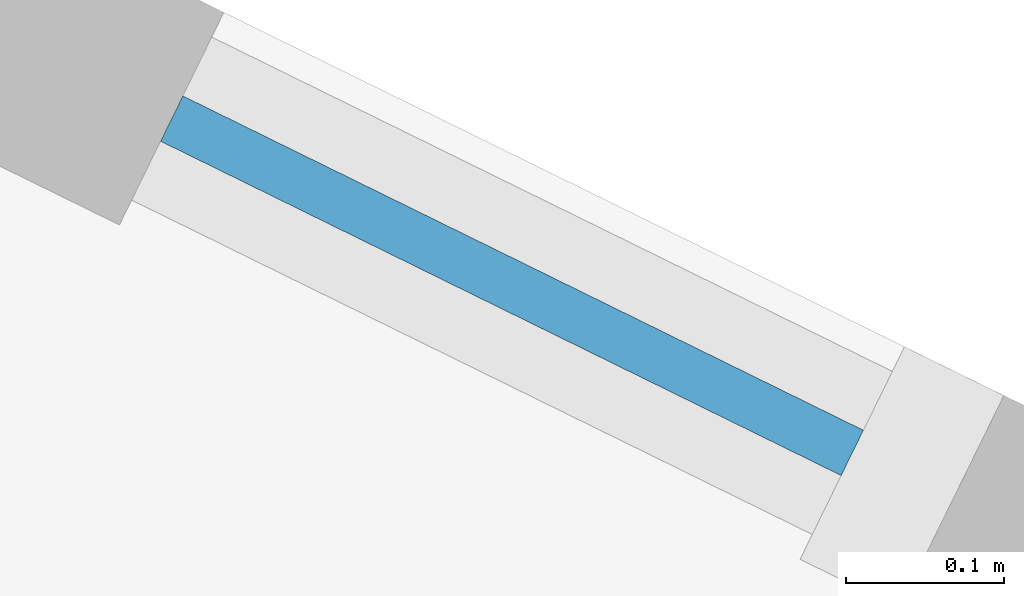
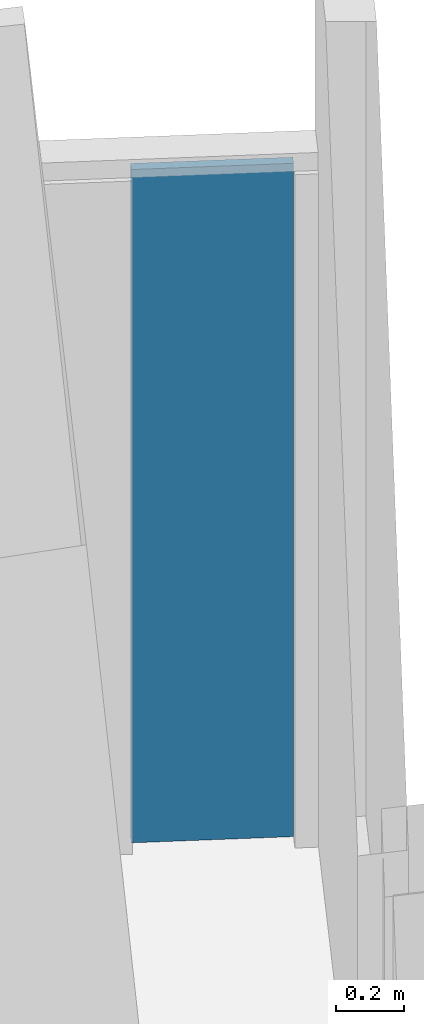
# One storey, part 16 of 25: 1 plate, 1 element without a shape of its own.
"""IFC4 building model written with IfcOpenShell, lengths in metres."""

from ifc_helpers import new_model, si_unit, direction, frame, origin, origin_2d, place, context, subcontext, project, spatial, rectangle, extrude, material, layer, layer_set, type_object, element, aggregate, save


model = new_model("IFC4")

# Units and contexts
model_context = context("Model", 3, precision=1e-05, world=origin(), true_north=direction((0.0, 1.0)))
body_context = subcontext(model_context, "Body", "Model", "MODEL_VIEW")
ifc_project = project(units=[si_unit("LENGTHUNIT", "METRE"), si_unit("AREAUNIT", "SQUARE_METRE"), si_unit("VOLUMEUNIT", "CUBIC_METRE"), si_unit("PLANEANGLEUNIT", "RADIAN"), si_unit("MASSUNIT", "GRAM", prefix="KILO")], contexts=[model_context])

# Site, building, storey
site_placement = place(None, origin())
site = spatial("IfcSite", under=ifc_project, at=site_placement, CompositionType="ELEMENT")
building_placement = place(site_placement, origin())
building = spatial("IfcBuilding", under=site, at=building_placement, Name="Verdalira Terraces Hotel", CompositionType="ELEMENT")
storey_placement = place(building_placement, frame((0.0, 0.0, 49.5)))
storey = spatial("IfcBuildingStorey", under=building, at=storey_placement, Name="L10", CompositionType="ELEMENT", Elevation=49.5)

# Curtain wall, plate
ifc_material_1 = material(Name="Clear glass", Category="glass")
ifc_layer_1 = layer(ifc_material_1, 0.14990234375)
ifc_layer_set_1 = layer_set([ifc_layer_1], Name="CW2 curtain wall")
curtain_wall_type = type_object("IfcCurtainWallType", Name="CW2 curtain wall", PredefinedType="NOTDEFINED", material=ifc_layer_set_1)
curtain_wall_placement = place(storey_placement, origin())
curtain_wall = element("IfcCurtainWall", 1, at=curtain_wall_placement, inside=storey, type_object=curtain_wall_type, Name="CW2 curtain wall L10 edge 38", PredefinedType="NOTDEFINED")
ifc_material_2 = material(Name="Clear glass", Category="glass")
ifc_layer_2 = layer(ifc_material_2, 0.031982421875)
ifc_layer_set_2 = layer_set([ifc_layer_2], Name="CW2 glass unit 32")
plate_type = type_object("IfcPlateType", Name="CW2 glass unit 32", PredefinedType="CURTAIN_PANEL", material=ifc_layer_set_2)
plate_placement = place(storey_placement, frame((33.841797, -9.4646, 0.0), z_axis=(0.0, 0.0, 1.0), x_axis=(-0.89756638, 0.440879341, 0.0)))
plate = element("IfcPlate", 2, at=plate_placement, type_object=plate_type, Name="CW2 glass unit", PredefinedType="CURTAIN_PANEL", context=body_context, shape_type="SweptSolid", body=[
    extrude(rectangle(XDim=0.47998, YDim=0.031982, at=origin_2d()), origin(), (0.0, 0.0, 1.0), 2.425049),
])
aggregate(curtain_wall, [plate])

save(model, "model.ifc")
